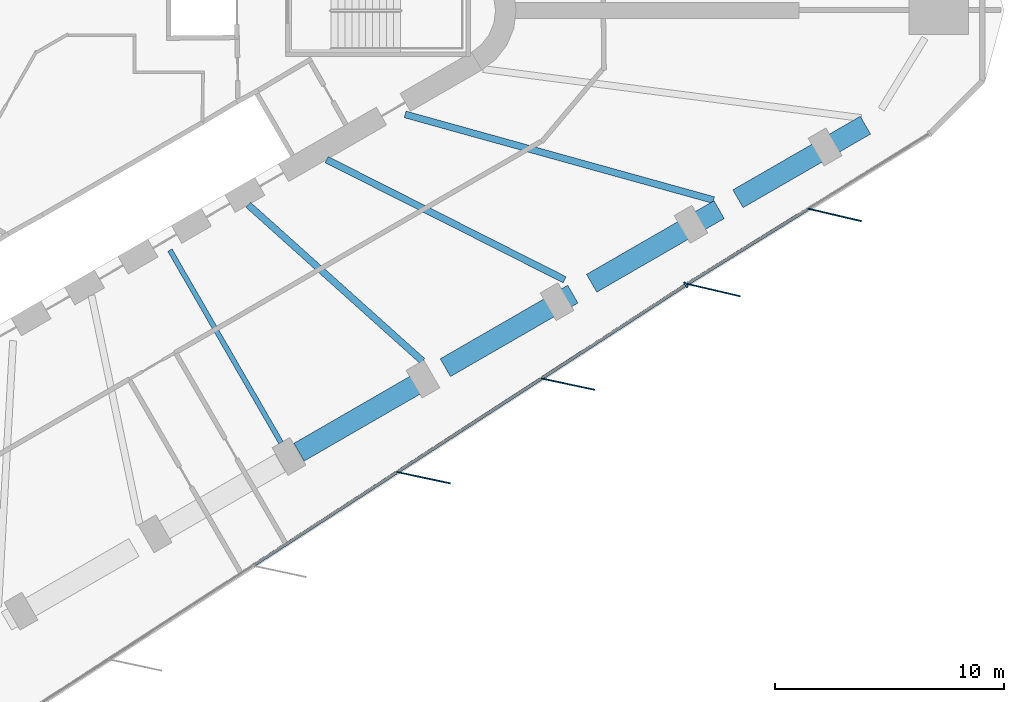
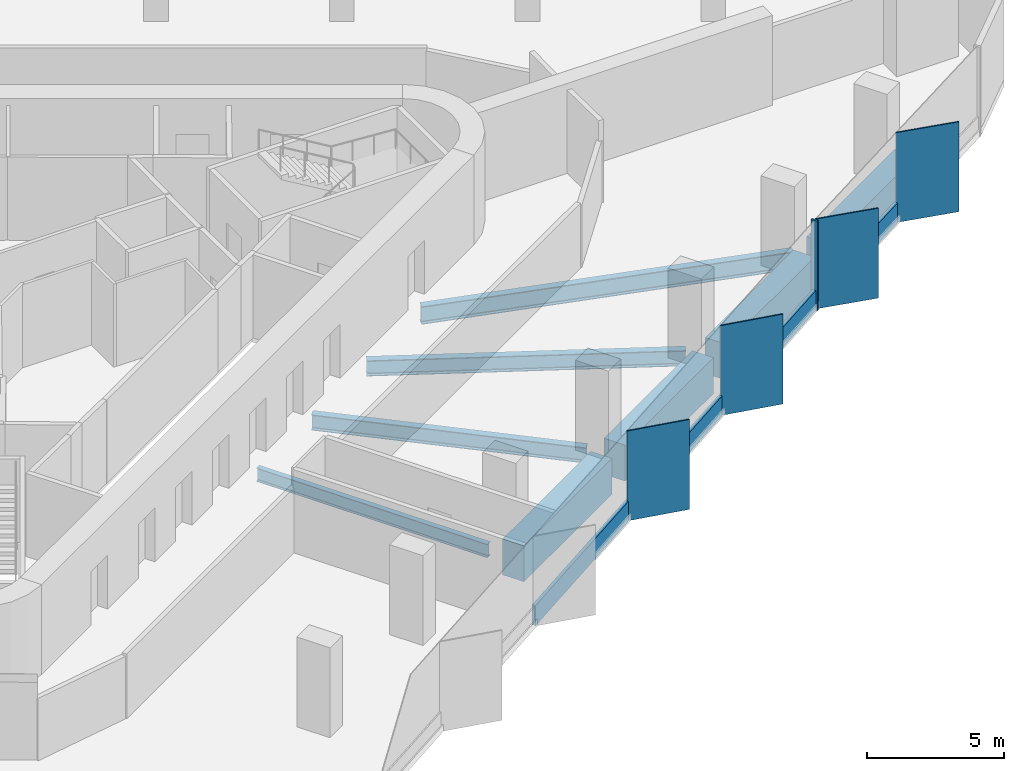
# One storey, part 3 of 13: 9 members, 8 beams, 2 elements without a shape of their own.
"""IFC4 building model written with IfcOpenShell, lengths in metres."""

from ifc_helpers import new_model, si_unit, direction, frame, origin, origin_2d, place, context, subcontext, project, spatial, rectangle, i_section, extrude, material, material_profile, profile_set, type_object, element, aggregate, save


model = new_model("IFC4")

# Units and contexts
model_context = context("Model", 3, precision=1e-05, world=origin(), true_north=direction((0.0, 1.0)))
body_context = subcontext(model_context, "Body", "Model", "MODEL_VIEW")
ifc_project = project(units=[si_unit("LENGTHUNIT", "METRE"), si_unit("AREAUNIT", "SQUARE_METRE"), si_unit("VOLUMEUNIT", "CUBIC_METRE"), si_unit("PLANEANGLEUNIT", "RADIAN"), si_unit("MASSUNIT", "GRAM", prefix="KILO")], contexts=[model_context])

# Site, building, storey
site_placement = place(None, origin())
site = spatial("IfcSite", under=ifc_project, at=site_placement, CompositionType="ELEMENT")
building_placement = place(site_placement, origin())
building = spatial("IfcBuilding", under=site, at=building_placement, Name="Tanit Gate Tower", CompositionType="ELEMENT")
storey_placement = place(building_placement, frame((0.0, 0.0, 169.199951171875)))
storey = spatial("IfcBuildingStorey", under=building, at=storey_placement, Name="L36", CompositionType="ELEMENT", Elevation=169.199951171875)

# Curtain wall, members
ifc_material_1 = material(Name="Aluminium bronze anodised and glass", Category="aluminium")
curtain_wall_type = type_object("IfcCurtainWallType", Name="Curtain wall typical mid", PredefinedType="NOTDEFINED", material=ifc_material_1)
curtain_wall_1_placement = place(storey_placement, origin())
curtain_wall_1 = element("IfcCurtainWall", 1, at=curtain_wall_1_placement, inside=storey, type_object=curtain_wall_type, Name="Curtain wall L36 SE2", PredefinedType="NOTDEFINED")
ifc_material_2 = material(Name="Aluminium bronze anodised", Category="aluminium")
ifc_material_profile_1 = material_profile(ifc_material_2, rectangle(XDim=2.39990234375, YDim=0.055908203125, at=origin_2d()), Name="56x2400 bronze fin mullion")
ifc_profile_set_1 = profile_set([ifc_material_profile_1], Name="Aluminium bronze anodised")
member_type_1 = type_object("IfcMemberType", Name="FIN MULLION 56x2400 bronze", PredefinedType="MULLION", material=ifc_profile_set_1)
member_1_placement = place(storey_placement, frame((17.150146484375, -20.43505859375, -0.300048828125), z_axis=(0.0, 0.0, 1.0), x_axis=(-0.978049407445, 0.208373118697, 0.0)))
member_1 = element("IfcMember", 2, at=member_1_placement, type_object=member_type_1, Name="Fin mullion L36 SE2.4", PredefinedType="MULLION", context=body_context, shape_type="SweptSolid", body=[
    extrude(rectangle(XDim=2.39990234375, YDim=0.055908203125, at=origin_2d()), origin(), (0.0, 0.0, 1.0), 4.0),
])
member_2_placement = place(storey_placement, frame((23.463623046875, -16.339111328125, -0.300048828125), z_axis=(0.0, 0.0, 1.0), x_axis=(-0.978049407445, 0.208373118697, 0.0)))
member_2 = element("IfcMember", 3, at=member_2_placement, type_object=member_type_1, Name="Fin mullion L36 SE2.5", PredefinedType="MULLION", context=body_context, shape_type="SweptSolid", body=[
    extrude(rectangle(XDim=2.39990234375, YDim=0.055908203125, at=origin_2d()), origin(), (0.0, 0.0, 1.0), 4.0),
])

curtain_wall_2_placement = place(storey_placement, origin())
curtain_wall_2 = element("IfcCurtainWall", 4, at=curtain_wall_2_placement, inside=storey, type_object=curtain_wall_type, Name="Curtain wall L36 SE3", PredefinedType="NOTDEFINED")
member_3_placement = place(storey_placement, frame((29.839599609375, -12.223876953125, -0.300048828125), z_axis=(0.0, 0.0, 1.0), x_axis=(-0.973618131435, 0.228183553615, 0.0)))
member_3 = element("IfcMember", 5, at=member_3_placement, type_object=member_type_1, Name="Fin mullion L36 SE3.1", PredefinedType="MULLION", context=body_context, shape_type="SweptSolid", body=[
    extrude(rectangle(XDim=2.39990234375, YDim=0.055908203125, at=origin_2d()), origin(), (0.0, 0.0, 1.0), 4.0),
])
member_4_placement = place(storey_placement, frame((35.138427734375, -8.937255859375, -0.300048828125), z_axis=(0.0, 0.0, 1.0), x_axis=(-0.973618131435, 0.228183553615, 0.0)))
member_4 = element("IfcMember", 6, at=member_4_placement, type_object=member_type_1, Name="Fin mullion L36 SE3.2", PredefinedType="MULLION", context=body_context, shape_type="SweptSolid", body=[
    extrude(rectangle(XDim=2.39990234375, YDim=0.055908203125, at=origin_2d()), origin(), (0.0, 0.0, 1.0), 4.0),
])

# Member
ifc_material_3 = material(Name="Aluminium bronze anodised", Category="aluminium")
ifc_material_profile_2 = material_profile(ifc_material_3, rectangle(XDim=0.260009765625, YDim=0.080078125, at=origin_2d()), Name="80x260 bronze mullion")
ifc_profile_set_2 = profile_set([ifc_material_profile_2], Name="Aluminium bronze anodised")
member_type_2 = type_object("IfcMemberType", Name="Mullion 80x260 typical mid", PredefinedType="MULLION", material=ifc_profile_set_2)
member_5_placement = place(storey_placement, frame((28.62451171875, -11.997802734375, -0.300048828125), z_axis=(0.0, 0.0, 1.0), x_axis=(-0.544243323092, 0.838927413588, 0.0)))
member_5 = element("IfcMember", 7, at=member_5_placement, type_object=member_type_2, Name="Mullion L36 SE2.6", PredefinedType="MULLION", context=body_context, shape_type="SweptSolid", body=[
    extrude(rectangle(XDim=0.260009765625, YDim=0.080078125, at=origin_2d()), origin(), (0.0, 0.0, 1.0), 4.0),
])

# Beams
ifc_material_4 = material(Name="Steel S355", Category="steel")
ifc_material_profile_3 = material_profile(ifc_material_4, i_section(OverallWidth=0.300048828125, OverallDepth=0.68994140625, WebThickness=0.014404296875, FlangeThickness=0.027099609375, FilletRadius=0.027099609375, at=origin_2d()), Name="HEA 700")
ifc_profile_set_3 = profile_set([ifc_material_profile_3], Name="Steel S355")
beam_type_1 = type_object("IfcBeamType", Name="RADIAL GIRDER HEA 700 S355", PredefinedType="BEAM", material=ifc_profile_set_3)
beam_1_placement = place(storey_placement, frame((17.104736328125, -15.33447265625, -0.64501953125), z_axis=(-0.744579249177, 0.667534075307, 0.0), x_axis=(-0.667534075307, -0.744579249177, 0.0)))
element("IfcBeam", 8, at=beam_1_placement, inside=storey, type_object=beam_type_1, Name="RADIAL GIRDER", PredefinedType="BEAM", context=body_context, shape_type="SweptSolid", body=[
    extrude(i_section(OverallWidth=0.300048828125, OverallDepth=0.68994140625, WebThickness=0.014404296875, FlangeThickness=0.027099609375, FilletRadius=0.027099609375, at=origin_2d()), origin(), (0.0, 0.0, 1.0), 10.23828125),
])
beam_2_placement = place(storey_placement, frame((23.3193359375, -11.774658203125, -0.64501953125), z_axis=(-0.892657080142, 0.450736438811, 0.0), x_axis=(-0.450736438811, -0.892657080142, 0.0)))
element("IfcBeam", 9, at=beam_2_placement, inside=storey, type_object=beam_type_1, Name="RADIAL GIRDER", PredefinedType="BEAM", context=body_context, shape_type="SweptSolid", body=[
    extrude(i_section(OverallWidth=0.300048828125, OverallDepth=0.68994140625, WebThickness=0.014404296875, FlangeThickness=0.027099609375, FilletRadius=0.027099609375, at=origin_2d()), origin(), (0.0, 0.0, 1.0), 11.658935546875),
])
ifc_material_5 = material(Name="Steel S355", Category="steel")
ifc_material_profile_4 = material_profile(ifc_material_5, i_section(OverallWidth=0.300048828125, OverallDepth=0.7900390625, WebThickness=0.014892578125, FlangeThickness=0.028076171875, FilletRadius=0.030029296875, at=origin_2d()), Name="HEA 800")
ifc_profile_set_4 = profile_set([ifc_material_profile_4], Name="Steel S355")
beam_type_2 = type_object("IfcBeamType", Name="RADIAL GIRDER HEA 800 S355", PredefinedType="BEAM", material=ifc_profile_set_4)
beam_3_placement = place(storey_placement, frame((29.841552734375, -8.288330078125, -0.695068359375), z_axis=(-0.9635276455, 0.267608812181, 0.0), x_axis=(-0.267608812181, -0.9635276455, 0.0)))
element("IfcBeam", 10, at=beam_3_placement, inside=storey, type_object=beam_type_2, Name="RADIAL GIRDER", PredefinedType="BEAM", context=body_context, shape_type="SweptSolid", body=[
    extrude(i_section(OverallWidth=0.300048828125, OverallDepth=0.7900390625, WebThickness=0.014892578125, FlangeThickness=0.028076171875, FilletRadius=0.030029296875, at=origin_2d()), origin(), (0.0, 0.0, 1.0), 14.01025390625),
])
ifc_material_6 = material(Name="Steel S355", Category="steel")
ifc_material_profile_5 = material_profile(ifc_material_6, i_section(OverallWidth=0.219970703125, OverallDepth=0.60009765625, WebThickness=0.011962890625, FlangeThickness=0.01904296875, FilletRadius=0.02392578125, at=origin_2d()), Name="IPE 600")
ifc_profile_set_5 = profile_set([ifc_material_profile_5], Name="Steel S355")
beam_type_3 = type_object("IfcBeamType", Name="RADIAL GIRDER IPE 600 S355", PredefinedType="BEAM", material=ifc_profile_set_5)
beam_4_placement = place(storey_placement, frame((10.916259765625, -18.907470703125, -0.599853515625), z_axis=(-0.500003351622, 0.866023468716, 0.0), x_axis=(-0.866023468716, -0.500003351622, 0.0)))
element("IfcBeam", 11, at=beam_4_placement, inside=storey, type_object=beam_type_3, Name="RADIAL GIRDER", PredefinedType="BEAM", context=body_context, shape_type="SweptSolid", body=[
    extrude(i_section(OverallWidth=0.219970703125, OverallDepth=0.60009765625, WebThickness=0.011962890625, FlangeThickness=0.01904296875, FilletRadius=0.02392578125, at=origin_2d()), origin(), (0.0, 0.0, 1.0), 9.73046875),
])
ifc_material_7 = material(Name="Concrete C60/75", Category="concrete")
ifc_material_profile_6 = material_profile(ifc_material_7, rectangle(XDim=0.89990234375, YDim=1.60009765625, at=origin_2d()), Name="RC 900x1600")
ifc_profile_set_6 = profile_set([ifc_material_profile_6], Name="Concrete C60/75")
beam_type_4 = type_object("IfcBeamType", Name="TRANSFER GIRDER 900x1600 C60/75", PredefinedType="USERDEFINED", material=ifc_profile_set_6)
for number, where, z_axis, x_axis, name in (
    (12, (11.70263671875, -19.319580078125, -1.099853515625), (0.866006961327, 0.500031941914, 0.0), (-0.500031941914, 0.866006961327, 0.0), "TRANSFER GIRDER"),
    (13, (18.103759765625, -15.623779296875, -1.099853515625), (0.866023373617, 0.500003516336, 0.0), (-0.500003516336, 0.866023373617, 0.0), "TRANSFER GIRDER"),
):
    element("IfcBeam", number, at=place(storey_placement, frame(where, z_axis=z_axis, x_axis=x_axis)), inside=storey, type_object=beam_type_4, Name=name, ObjectType="GIRDER", PredefinedType="USERDEFINED", context=body_context, shape_type="SweptSolid", body=[
        extrude(rectangle(XDim=0.89990234375, YDim=1.60009765625, at=origin_2d()), origin(), (0.0, 0.0, 1.0), 6.44140625),
    ])
beam_5_placement = place(storey_placement, frame((24.5048828125, -11.927978515625, -1.099853515625), z_axis=(0.86603284879, 0.49998710465, 0.0), x_axis=(-0.49998710465, 0.86603284879, 0.0)))
element("IfcBeam", 14, at=beam_5_placement, inside=storey, type_object=beam_type_4, Name="TRANSFER GIRDER", ObjectType="GIRDER", PredefinedType="USERDEFINED", context=body_context, shape_type="SweptSolid", body=[
    extrude(rectangle(XDim=0.89990234375, YDim=1.60009765625, at=origin_2d()), origin(), (0.0, 0.0, 1.0), 6.441650390625),
])
beam_6_placement = place(storey_placement, frame((30.90625, -8.232421875, -1.099853515625), z_axis=(0.866023373617, 0.500003516336, 0.0), x_axis=(-0.500003516336, 0.866023373617, 0.0)))
element("IfcBeam", 15, at=beam_6_placement, inside=storey, type_object=beam_type_4, Name="TRANSFER GIRDER", ObjectType="GIRDER", PredefinedType="USERDEFINED", context=body_context, shape_type="SweptSolid", body=[
    extrude(rectangle(XDim=0.89990234375, YDim=1.60009765625, at=origin_2d()), origin(), (0.0, 0.0, 1.0), 6.44140625),
])

# Member
ifc_material_8 = material(Name="Aluminium bronze anodised", Category="aluminium")
ifc_material_profile_7 = material_profile(ifc_material_8, rectangle(XDim=0.139892578125, YDim=0.89990234375, at=origin_2d()), Name="140x900 bronze transom")
ifc_profile_set_7 = profile_set([ifc_material_profile_7], Name="Aluminium bronze anodised")
member_type_3 = type_object("IfcMemberType", Name="Transom 140x900 typical mid", PredefinedType="USERDEFINED", material=ifc_profile_set_7)
member_6_placement = place(storey_placement, frame((9.71728515625, -24.263427734375, 0.150146484375), z_axis=(0.838926489373, 0.544244747727, 0.0), x_axis=(-0.544244747727, 0.838926489373, 0.0)))
member_6 = element("IfcMember", 16, at=member_6_placement, type_object=member_type_3, Name="Transom L36 SE2.3", ObjectType="TRANSOM", PredefinedType="USERDEFINED", context=body_context, shape_type="SweptSolid", body=[
    extrude(rectangle(XDim=0.139892578125, YDim=0.89990234375, at=origin_2d()), origin(), (0.0, 0.0, 1.0), 7.445556640625),
])

member_7_placement = place(storey_placement, frame((16.03076171875, -20.167724609375, 0.150146484375), z_axis=(0.83892123078, 0.544252853503, 0.0), x_axis=(-0.544252853503, 0.83892123078, 0.0)))
member_7 = element("IfcMember", 17, at=member_7_placement, type_object=member_type_3, Name="Transom L36 SE2.4", ObjectType="TRANSOM", PredefinedType="USERDEFINED", context=body_context, shape_type="SweptSolid", body=[
    extrude(rectangle(XDim=0.139892578125, YDim=0.89990234375, at=origin_2d()), origin(), (0.0, 0.0, 1.0), 7.446044921875),
])

member_8_placement = place(storey_placement, frame((22.34423828125, -16.07177734375, 0.150146484375), z_axis=(0.838936201381, 0.544229776852, 0.0), x_axis=(-0.544229776852, 0.838936201381, 0.0)))
member_8 = element("IfcMember", 18, at=member_8_placement, type_object=member_type_3, Name="Transom L36 SE2.5", ObjectType="TRANSOM", PredefinedType="USERDEFINED", context=body_context, shape_type="SweptSolid", body=[
    extrude(rectangle(XDim=0.139892578125, YDim=0.89990234375, at=origin_2d()), origin(), (0.0, 0.0, 1.0), 7.44580078125),
])

aggregate(curtain_wall_1, [member_1, member_2, member_5, member_6, member_7, member_8])

member_9_placement = place(storey_placement, frame((28.725830078125, -11.933837890625, 0.150146484375), z_axis=(0.849798231342, 0.527108116052, 0.0), x_axis=(-0.527108116052, 0.849798231342, 0.0)))
member_9 = element("IfcMember", 19, at=member_9_placement, type_object=member_type_3, Name="Transom L36 SE3.1", ObjectType="TRANSOM", PredefinedType="USERDEFINED", context=body_context, shape_type="SweptSolid", body=[
    extrude(rectangle(XDim=0.139892578125, YDim=0.89990234375, at=origin_2d()), origin(), (0.0, 0.0, 1.0), 6.155517578125),
])

aggregate(curtain_wall_2, [member_3, member_4, member_9])

save(model, "model.ifc")
